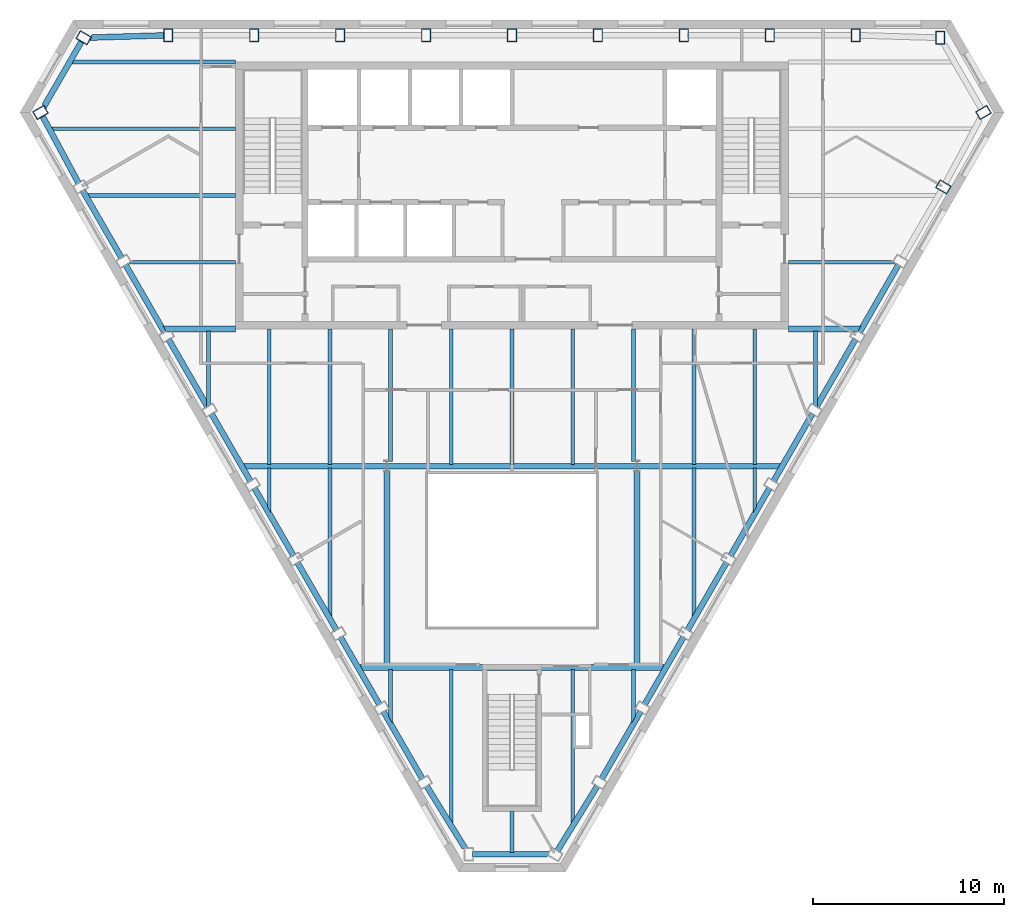
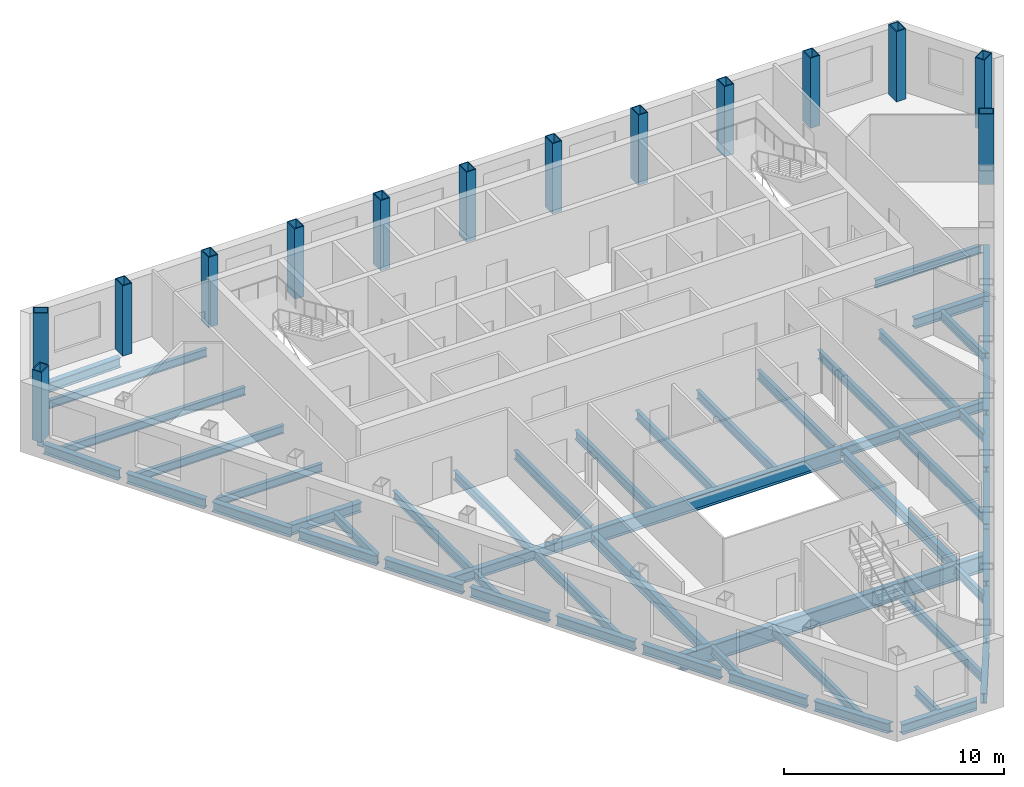
# One storey, part 2 of 10: 54 beams, 14 columns.
"""IFC4 building model written with IfcOpenShell, lengths in metres."""

from ifc_helpers import new_model, si_unit, direction, frame, origin, origin_2d, place, context, subcontext, project, spatial, hollow_rectangle, i_section, extrude, clip, halfspace, material, material_profile, profile_set, type_object, element, save


model = new_model("IFC4")

# Units and contexts
model_context = context("Model", 3, precision=1e-05, world=origin(), true_north=direction((0.0, 1.0)))
body_context = subcontext(model_context, "Body", "Model", "MODEL_VIEW")
ifc_project = project(units=[si_unit("LENGTHUNIT", "METRE"), si_unit("AREAUNIT", "SQUARE_METRE"), si_unit("VOLUMEUNIT", "CUBIC_METRE"), si_unit("PLANEANGLEUNIT", "RADIAN"), si_unit("MASSUNIT", "GRAM", prefix="KILO")], contexts=[model_context])

# Site, building, storey
site_placement = place(None, origin())
site = spatial("IfcSite", under=ifc_project, at=site_placement, CompositionType="ELEMENT")
building_placement = place(site_placement, origin())
building = spatial("IfcBuilding", under=site, at=building_placement, Name="Njiva Tower", CompositionType="ELEMENT")
storey_placement = place(building_placement, frame((0.0, 0.0, 272.7)))
storey = spatial("IfcBuildingStorey", under=building, at=storey_placement, Name="L62", CompositionType="ELEMENT", Elevation=272.7)

# Columns
ifc_material = material(Name="Steel S355 J2", Category="steel")
ifc_material_profile_1 = material_profile(ifc_material, hollow_rectangle(XDim=0.5, YDim=0.7, WallThickness=0.045, at=origin_2d()), Name="BOX 700x500x45")
ifc_profile_set_1 = profile_set([ifc_material_profile_1], Name="Steel S355 J2")
column_type = type_object("IfcColumnType", Name="C13 Perimeter tube column BOX 700x500x45", PredefinedType="COLUMN", material=ifc_profile_set_1)
for number, where, z_axis, x_axis, name in (
    (1, (22.461, 19.267, 0.0), (0.0, 0.0, 1.0), (-1.0, 0.0, 0.0), "Perimeter tube column S20-C01"),
    (2, (18.03, 19.4, 0.0), (0.0, 0.0, 1.0), (-1.0, 0.0, 0.0), "Perimeter tube column S20-C02"),
    (3, (13.523, 19.4, 0.0), (0.0, 0.0, 1.0), (-1.0, 0.0, 0.0), "Perimeter tube column S20-C03"),
    (4, (9.015, 19.4, 0.0), (0.0, 0.0, 1.0), (-1.0, 0.0, 0.0), "Perimeter tube column S20-C04"),
    (5, (4.508, 19.4, 0.0), (0.0, 0.0, 1.0), (-1.0, 0.0, 0.0), "Perimeter tube column S20-C05"),
    (6, (0.0, 19.4, 0.0), (0.0, 0.0, 1.0), (-1.0, 0.0, 0.0), "Perimeter tube column S20-C06"),
    (7, (-4.508, 19.4, 0.0), (0.0, 0.0, 1.0), (-1.0, 0.0, 0.0), "Perimeter tube column S20-C07"),
    (8, (-9.015, 19.4, 0.0), (0.0, 0.0, 1.0), (-1.0, 0.0, 0.0), "Perimeter tube column S20-C08"),
    (9, (-13.523, 19.4, 0.0), (0.0, 0.0, 1.0), (-1.0, 0.0, 0.0), "Perimeter tube column S20-C09"),
    (10, (-18.03, 19.4, 0.0), (0.0, 0.0, 1.0), (-1.0, 0.0, 0.0), "Perimeter tube column S20-C10"),
    (11, (-22.461, 19.267, 0.0), (0.0, 0.0, 1.0), (-0.5, -0.866025403784, 0.0), "Perimeter tube column S20-C11"),
    (12, (-24.723, 15.35, 0.0), (0.0, 0.0, 1.0), (0.5, -0.866025403784, 0.0), "Perimeter tube column S20-C12"),
    (13, (22.622, 11.447, 0.0), (0.0, 0.0, 1.0), (0.5, 0.866025403784, 0.0), "Perimeter tube column S20-C32"),
    (14, (24.723, 15.35, 0.0), (0.0, 0.0, 1.0), (-0.5, 0.866025403784, 0.0), "Perimeter tube column S20-C33"),
):
    element("IfcColumn", number, at=place(storey_placement, frame(where, z_axis=z_axis, x_axis=x_axis)), inside=storey, type_object=column_type, Name=name, PredefinedType="COLUMN", context=body_context, shape_type="SweptSolid", body=[
        extrude(hollow_rectangle(XDim=0.5, YDim=0.7, WallThickness=0.045, at=origin_2d()), origin(), (0.0, 0.0, 1.0), 3.9),
    ])

# Beams
ifc_material_profile_2 = material_profile(ifc_material, i_section(OverallWidth=0.3, OverallDepth=0.59, WebThickness=0.013, FlangeThickness=0.025, at=origin_2d()), Name="HEA 600")
ifc_profile_set_2 = profile_set([ifc_material_profile_2], Name="Steel S355 J2")
beam_type_1 = type_object("IfcBeamType", Name="B30 Long-span atrium trimmer beam HEA 600", PredefinedType="BEAM", material=ifc_profile_set_2)
for number, where, z_axis, x_axis, name in (
    (15, (6.55, -13.649, -0.495), (0.0, 1.0, 0.0), (-1.0, 0.0, 0.0), "Long-span atrium trimmer beam S20-B067"),
    (16, (-6.55, -3.45, -0.495), (0.0, -1.0, 0.0), (1.0, 0.0, 0.0), "Long-span atrium trimmer beam S20-B064"),
):
    element("IfcBeam", number, at=place(storey_placement, frame(where, z_axis=z_axis, x_axis=x_axis)), inside=storey, type_object=beam_type_1, Name=name, PredefinedType="BEAM", context=body_context, shape_type="SweptSolid", body=[
        extrude(i_section(OverallWidth=0.3, OverallDepth=0.59, WebThickness=0.013, FlangeThickness=0.025, at=origin_2d()), origin(), (0.0, 0.0, 1.0), 10.199),
    ])
ifc_material_profile_3 = material_profile(ifc_material, i_section(OverallWidth=0.19, OverallDepth=0.45, WebThickness=0.0094, FlangeThickness=0.0146, at=origin_2d()), Name="IPE 450")
ifc_profile_set_3 = profile_set([ifc_material_profile_3], Name="Steel S355 J2")
beam_type_2 = type_object("IfcBeamType", Name="B37 Floor beam to the core IPE 450", PredefinedType="BEAM", material=ifc_profile_set_3)
beam_1_placement = place(storey_placement, frame((-20.228, 7.5, -0.425), z_axis=(1.0, 0.0, 0.0), x_axis=(0.0, 1.0, 0.0)))
element("IfcBeam", 17, at=beam_1_placement, inside=storey, type_object=beam_type_2, Name="Floor beam to the core S20-B005", PredefinedType="BEAM", context=body_context, shape_type="Clipping", body=[
    clip(extrude(i_section(OverallWidth=0.19, OverallDepth=0.45, WebThickness=0.0094, FlangeThickness=0.0146, at=origin_2d()), origin(), (0.0, 0.0, 1.0), 5.728), halfspace(frame((0.0433, 0.0, 0.2595), z_axis=(0.866026552831, 0.0, -0.499998009787), x_axis=(0.0, -1.0, 0.0)), False)),
])
beam_2_placement = place(storey_placement, frame((14.5, 7.5, -0.425), z_axis=(1.0, 0.0, 0.0), x_axis=(0.0, 1.0, 0.0)))
element("IfcBeam", 18, at=beam_2_placement, inside=storey, type_object=beam_type_2, Name="Floor beam to the core S20-B006", PredefinedType="BEAM", context=body_context, shape_type="Clipping", body=[
    clip(extrude(i_section(OverallWidth=0.19, OverallDepth=0.45, WebThickness=0.0094, FlangeThickness=0.0146, at=origin_2d()), origin(), (0.0, 0.0, 1.0), 5.728), halfspace(frame((0.0433, 0.0, 5.4685), z_axis=(0.866026552831, 0.0, 0.499998009787), x_axis=(0.0, 1.0, 0.0)), False)),
])
beam_3_placement = place(storey_placement, frame((-22.324, 11.0, -0.425), z_axis=(1.0, 0.0, 0.0), x_axis=(0.0, 1.0, 0.0)))
element("IfcBeam", 19, at=beam_3_placement, inside=storey, type_object=beam_type_2, Name="Floor beam to the core S20-B003", PredefinedType="BEAM", context=body_context, shape_type="Clipping", body=[
    clip(extrude(i_section(OverallWidth=0.19, OverallDepth=0.45, WebThickness=0.0094, FlangeThickness=0.0146, at=origin_2d()), origin(), (0.0, 0.0, 1.0), 7.824), halfspace(frame((-0.025, 0.0, 0.0893), z_axis=(-0.499998009787, 0.0, -0.866026552831), x_axis=(0.0, -1.0, 0.0)), False)),
])
beam_4_placement = place(storey_placement, frame((-23.152, 18.0, -0.425), z_axis=(1.0, 0.0, 0.0), x_axis=(0.0, 1.0, 0.0)))
element("IfcBeam", 20, at=beam_4_placement, inside=storey, type_object=beam_type_2, Name="Floor beam to the core S20-B002", PredefinedType="BEAM", context=body_context, shape_type="Clipping", body=[
    clip(extrude(i_section(OverallWidth=0.19, OverallDepth=0.45, WebThickness=0.0094, FlangeThickness=0.0146, at=origin_2d()), origin(), (0.0, 0.0, 1.0), 8.652), halfspace(frame((0.025, 0.0, 0.0892), z_axis=(0.499998009787, 0.0, -0.866026552831), x_axis=(0.0, -1.0, 0.0)), False)),
])
ifc_material_profile_4 = material_profile(ifc_material, i_section(OverallWidth=0.3, OverallDepth=0.54, WebThickness=0.0125, FlangeThickness=0.024, at=origin_2d()), Name="HEA 550")
ifc_profile_set_4 = profile_set([ifc_material_profile_4], Name="Steel S355 J2")
beam_type_3 = type_object("IfcBeamType", Name="B39 Short-span spandrel beam HEA 550", PredefinedType="SPANDREL", material=ifc_profile_set_4)
beam_5_placement = place(storey_placement, frame((-18.234, 19.394, -0.47), z_axis=(-0.999544486246, -0.030179794811, 0.0), x_axis=(0.030179794811, -0.999544486246, 0.0)))
element("IfcBeam", 21, at=beam_5_placement, inside=storey, type_object=beam_type_3, Name="Short-span spandrel beam S20-B075", PredefinedType="SPANDREL", context=body_context, shape_type="Clipping", body=[
    clip(extrude(i_section(OverallWidth=0.3, OverallDepth=0.54, WebThickness=0.0125, FlangeThickness=0.024, at=origin_2d()), origin(), (0.0, 0.0, 1.0), 3.9898), halfspace(frame((-0.0268, 0.0, 3.86), z_axis=(-0.525906757481, 0.0, 0.850542228484), x_axis=(0.0, 1.0, 0.0)), False)),
])
beam_6_placement = place(storey_placement, frame((-22.561, 19.094, -0.47), z_axis=(-0.500114213461, -0.865959452569, 0.0), x_axis=(0.865959452569, -0.500114213461, 0.0)))
element("IfcBeam", 22, at=beam_6_placement, inside=storey, type_object=beam_type_3, Name="Short-span spandrel beam S20-B072", PredefinedType="SPANDREL", context=body_context, shape_type="Clipping", body=[
    clip(extrude(i_section(OverallWidth=0.3, OverallDepth=0.54, WebThickness=0.0125, FlangeThickness=0.024, at=origin_2d()), origin(), (0.0, 0.0, 1.0), 4.0841), halfspace(frame((-0.0246, 0.0, 3.9628), z_axis=(-0.499887768204, 0.0, 0.866090191147), x_axis=(0.0, 1.0, 0.0)), False)),
])
beam_7_placement = place(storey_placement, frame((-24.626, 15.171, -0.47), z_axis=(0.47374424202, -0.880662474023, 0.0), x_axis=(0.880662474023, 0.47374424202, 0.0)))
element("IfcBeam", 23, at=beam_7_placement, inside=storey, type_object=beam_type_3, Name="Short-span spandrel beam S20-B070", PredefinedType="SPANDREL", context=body_context, shape_type="SweptSolid", body=[
    extrude(i_section(OverallWidth=0.3, OverallDepth=0.54, WebThickness=0.0125, FlangeThickness=0.024, at=origin_2d()), origin(), (0.0, 0.0, 1.0), 4.0254),
])
for number, where, z_axis, x_axis, name in (
    (24, (-22.523, 11.274, -0.47), (0.499961250474, -0.866047774678, 0.0), (0.866047774678, 0.499961250474, 0.0), "Short-span spandrel beam S20-B073"),
    (25, (-20.269, 7.37, -0.47), (0.499961250474, -0.866047774678, 0.0), (0.866047774678, 0.499961250474, 0.0), "Short-span spandrel beam S20-B077"),
    (26, (-18.015, 3.466, -0.47), (0.499961250474, -0.866047774678, 0.0), (0.866047774678, 0.499961250474, 0.0), "Short-span spandrel beam S20-B079"),
):
    element("IfcBeam", number, at=place(storey_placement, frame(where, z_axis=z_axis, x_axis=x_axis)), inside=storey, type_object=beam_type_3, Name=name, PredefinedType="SPANDREL", context=body_context, shape_type="SweptSolid", body=[
        extrude(i_section(OverallWidth=0.3, OverallDepth=0.54, WebThickness=0.0125, FlangeThickness=0.024, at=origin_2d()), origin(), (0.0, 0.0, 1.0), 4.1083),
    ])
beam_8_placement = place(storey_placement, frame((-15.761, -0.438, -0.47), z_axis=(0.500066662559, -0.865986912717, 0.0), x_axis=(0.865986912717, 0.500066662559, 0.0)))
element("IfcBeam", 27, at=beam_8_placement, inside=storey, type_object=beam_type_3, Name="Short-span spandrel beam S20-B082", PredefinedType="SPANDREL", context=body_context, shape_type="SweptSolid", body=[
    extrude(i_section(OverallWidth=0.3, OverallDepth=0.54, WebThickness=0.0125, FlangeThickness=0.024, at=origin_2d()), origin(), (0.0, 0.0, 1.0), 4.1075),
])
beam_9_placement = place(storey_placement, frame((-13.507, -4.341, -0.47), z_axis=(0.499961250474, -0.866047774678, 0.0), x_axis=(0.866047774678, 0.499961250474, 0.0)))
element("IfcBeam", 28, at=beam_9_placement, inside=storey, type_object=beam_type_3, Name="Short-span spandrel beam S20-B084", PredefinedType="SPANDREL", context=body_context, shape_type="SweptSolid", body=[
    extrude(i_section(OverallWidth=0.3, OverallDepth=0.54, WebThickness=0.0125, FlangeThickness=0.024, at=origin_2d()), origin(), (0.0, 0.0, 1.0), 4.1083),
])
beam_10_placement = place(storey_placement, frame((-11.253, -8.245, -0.47), z_axis=(0.499778651271, -0.866153161822, 0.0), x_axis=(0.866153161822, 0.499778651271, 0.0)))
element("IfcBeam", 29, at=beam_10_placement, inside=storey, type_object=beam_type_3, Name="Short-span spandrel beam S20-B087", PredefinedType="SPANDREL", context=body_context, shape_type="SweptSolid", body=[
    extrude(i_section(OverallWidth=0.3, OverallDepth=0.54, WebThickness=0.0125, FlangeThickness=0.024, at=origin_2d()), origin(), (0.0, 0.0, 1.0), 4.1078),
])
beam_11_placement = place(storey_placement, frame((-9.0, -12.149, -0.47), z_axis=(0.500066662559, -0.865986912717, 0.0), x_axis=(0.865986912717, 0.500066662559, 0.0)))
element("IfcBeam", 30, at=beam_11_placement, inside=storey, type_object=beam_type_3, Name="Short-span spandrel beam S20-B089", PredefinedType="SPANDREL", context=body_context, shape_type="SweptSolid", body=[
    extrude(i_section(OverallWidth=0.3, OverallDepth=0.54, WebThickness=0.0125, FlangeThickness=0.024, at=origin_2d()), origin(), (0.0, 0.0, 1.0), 4.1075),
])
beam_12_placement = place(storey_placement, frame((-6.746, -16.052, -0.47), z_axis=(0.499961250474, -0.866047774678, 0.0), x_axis=(0.866047774678, 0.499961250474, 0.0)))
element("IfcBeam", 31, at=beam_12_placement, inside=storey, type_object=beam_type_3, Name="Short-span spandrel beam S20-B093", PredefinedType="SPANDREL", context=body_context, shape_type="SweptSolid", body=[
    extrude(i_section(OverallWidth=0.3, OverallDepth=0.54, WebThickness=0.0125, FlangeThickness=0.024, at=origin_2d()), origin(), (0.0, 0.0, 1.0), 4.1083),
])
beam_13_placement = place(storey_placement, frame((-4.485, -19.956, -0.47), z_axis=(0.525679579042, -0.850682655388, 0.0), x_axis=(0.850682655388, 0.525679579042, 0.0)))
element("IfcBeam", 32, at=beam_13_placement, inside=storey, type_object=beam_type_3, Name="Short-span spandrel beam S20-B095", PredefinedType="SPANDREL", context=body_context, shape_type="Clipping", body=[
    clip(extrude(i_section(OverallWidth=0.3, OverallDepth=0.54, WebThickness=0.0125, FlangeThickness=0.024, at=origin_2d()), origin(), (0.0, 0.0, 1.0), 3.9899), halfspace(frame((-0.0259, 0.0, 3.8609), z_axis=(-0.525679579042, 0.0, 0.850682655388), x_axis=(0.0, 1.0, 0.0)), False)),
])
beam_14_placement = place(storey_placement, frame((-2.061, -23.554, -0.47), z_axis=(1.0, 0.0, 0.0), x_axis=(0.0, 1.0, 0.0)))
element("IfcBeam", 33, at=beam_14_placement, inside=storey, type_object=beam_type_3, Name="Short-span spandrel beam S20-B099", PredefinedType="SPANDREL", context=body_context, shape_type="Clipping", body=[
    clip(extrude(i_section(OverallWidth=0.3, OverallDepth=0.54, WebThickness=0.0125, FlangeThickness=0.024, at=origin_2d()), origin(), (0.0, 0.0, 1.0), 4.083), halfspace(frame((-0.0248, 0.0, 3.9613), z_axis=(-0.499998009787, 0.0, 0.866026552831), x_axis=(0.0, 1.0, 0.0)), False)),
])
beam_15_placement = place(storey_placement, frame((2.368, -23.381, -0.47), z_axis=(0.525773090437, 0.850624862894, 0.0), x_axis=(-0.850624862894, 0.525773090437, 0.0)))
element("IfcBeam", 34, at=beam_15_placement, inside=storey, type_object=beam_type_3, Name="Short-span spandrel beam S20-B102", PredefinedType="SPANDREL", context=body_context, shape_type="SweptSolid", body=[
    extrude(i_section(OverallWidth=0.3, OverallDepth=0.54, WebThickness=0.0125, FlangeThickness=0.024, at=origin_2d()), origin(), (0.0, 0.0, 1.0), 4.0265),
])
beam_16_placement = place(storey_placement, frame((4.692, -19.61, -0.47), z_axis=(0.499961250474, 0.866047774678, 0.0), x_axis=(-0.866047774678, 0.499961250474, 0.0)))
element("IfcBeam", 35, at=beam_16_placement, inside=storey, type_object=beam_type_3, Name="Short-span spandrel beam S20-B104", PredefinedType="SPANDREL", context=body_context, shape_type="SweptSolid", body=[
    extrude(i_section(OverallWidth=0.3, OverallDepth=0.54, WebThickness=0.0125, FlangeThickness=0.024, at=origin_2d()), origin(), (0.0, 0.0, 1.0), 4.1083),
])
beam_17_placement = place(storey_placement, frame((6.946, -15.706, -0.47), z_axis=(0.500066662559, 0.865986912717, 0.0), x_axis=(-0.865986912717, 0.500066662559, 0.0)))
element("IfcBeam", 36, at=beam_17_placement, inside=storey, type_object=beam_type_3, Name="Short-span spandrel beam S20-B108", PredefinedType="SPANDREL", context=body_context, shape_type="SweptSolid", body=[
    extrude(i_section(OverallWidth=0.3, OverallDepth=0.54, WebThickness=0.0125, FlangeThickness=0.024, at=origin_2d()), origin(), (0.0, 0.0, 1.0), 4.1075),
])
beam_18_placement = place(storey_placement, frame((9.2, -11.803, -0.47), z_axis=(0.499778651271, 0.866153161822, 0.0), x_axis=(-0.866153161822, 0.499778651271, 0.0)))
element("IfcBeam", 37, at=beam_18_placement, inside=storey, type_object=beam_type_3, Name="Short-span spandrel beam S20-B110", PredefinedType="SPANDREL", context=body_context, shape_type="SweptSolid", body=[
    extrude(i_section(OverallWidth=0.3, OverallDepth=0.54, WebThickness=0.0125, FlangeThickness=0.024, at=origin_2d()), origin(), (0.0, 0.0, 1.0), 4.1078),
])
beam_19_placement = place(storey_placement, frame((11.453, -7.899, -0.47), z_axis=(0.499961250474, 0.866047774678, 0.0), x_axis=(-0.866047774678, 0.499961250474, 0.0)))
element("IfcBeam", 38, at=beam_19_placement, inside=storey, type_object=beam_type_3, Name="Short-span spandrel beam S20-B113", PredefinedType="SPANDREL", context=body_context, shape_type="SweptSolid", body=[
    extrude(i_section(OverallWidth=0.3, OverallDepth=0.54, WebThickness=0.0125, FlangeThickness=0.024, at=origin_2d()), origin(), (0.0, 0.0, 1.0), 4.1083),
])
beam_20_placement = place(storey_placement, frame((13.707, -3.995, -0.47), z_axis=(0.500066662559, 0.865986912717, 0.0), x_axis=(-0.865986912717, 0.500066662559, 0.0)))
element("IfcBeam", 39, at=beam_20_placement, inside=storey, type_object=beam_type_3, Name="Short-span spandrel beam S20-B115", PredefinedType="SPANDREL", context=body_context, shape_type="SweptSolid", body=[
    extrude(i_section(OverallWidth=0.3, OverallDepth=0.54, WebThickness=0.0125, FlangeThickness=0.024, at=origin_2d()), origin(), (0.0, 0.0, 1.0), 4.1075),
])
for number, where, z_axis, x_axis, name in (
    (40, (15.961, -0.092, -0.47), (0.499961250474, 0.866047774678, 0.0), (-0.866047774678, 0.499961250474, 0.0), "Short-span spandrel beam S20-B118"),
    (41, (18.215, 3.812, -0.47), (0.499961250474, 0.866047774678, 0.0), (-0.866047774678, 0.499961250474, 0.0), "Short-span spandrel beam S20-B120"),
):
    element("IfcBeam", number, at=place(storey_placement, frame(where, z_axis=z_axis, x_axis=x_axis)), inside=storey, type_object=beam_type_3, Name=name, PredefinedType="SPANDREL", context=body_context, shape_type="SweptSolid", body=[
        extrude(i_section(OverallWidth=0.3, OverallDepth=0.54, WebThickness=0.0125, FlangeThickness=0.024, at=origin_2d()), origin(), (0.0, 0.0, 1.0), 4.1083),
    ])
ifc_material_profile_5 = material_profile(ifc_material, i_section(OverallWidth=0.3, OverallDepth=0.54, WebThickness=0.0125, FlangeThickness=0.024, at=origin_2d()), Name="HEA 550")
ifc_profile_set_5 = profile_set([ifc_material_profile_5], Name="Steel S355 J2")
beam_type_4 = type_object("IfcBeamType", Name="B40 Floor girder HEA 550", PredefinedType="BEAM", material=ifc_profile_set_5)
beam_21_placement = place(storey_placement, frame((-14.158, -3.2, -0.47), z_axis=(1.0, 0.0, 0.0), x_axis=(0.0, 1.0, 0.0)))
element("IfcBeam", 42, at=beam_21_placement, inside=storey, type_object=beam_type_4, Name="Floor girder S20-B012", PredefinedType="BEAM", context=body_context, shape_type="Clipping", body=[
    clip(extrude(i_section(OverallWidth=0.3, OverallDepth=0.54, WebThickness=0.0125, FlangeThickness=0.024, at=origin_2d()), origin(), (0.0, 0.0, 1.0), 7.608), halfspace(frame((-0.025, 0.0, 0.1217), z_axis=(-0.499998009787, 0.0, -0.866026552831), x_axis=(0.0, -1.0, 0.0)), False)),
])
beam_22_placement = place(storey_placement, frame((6.55, -3.2, -0.47), z_axis=(1.0, 0.0, 0.0), x_axis=(0.0, 1.0, 0.0)))
element("IfcBeam", 43, at=beam_22_placement, inside=storey, type_object=beam_type_4, Name="Floor girder S20-B013", PredefinedType="BEAM", context=body_context, shape_type="Clipping", body=[
    clip(extrude(i_section(OverallWidth=0.3, OverallDepth=0.54, WebThickness=0.0125, FlangeThickness=0.024, at=origin_2d()), origin(), (0.0, 0.0, 1.0), 7.608), halfspace(frame((-0.025, 0.0, 7.4863), z_axis=(-0.499998009787, 0.0, 0.866026552831), x_axis=(0.0, 1.0, 0.0)), False)),
])
ifc_material_profile_6 = material_profile(ifc_material, i_section(OverallWidth=0.3, OverallDepth=0.54, WebThickness=0.0125, FlangeThickness=0.024, at=origin_2d()), Name="HEA 550")
ifc_profile_set_6 = profile_set([ifc_material_profile_6], Name="Steel S355 J2")
beam_type_5 = type_object("IfcBeamType", Name="B41 Short-span floor girder HEA 550", PredefinedType="BEAM", material=ifc_profile_set_6)
beam_23_placement = place(storey_placement, frame((-18.315, 4.0, -0.47), z_axis=(1.0, 0.0, 0.0), x_axis=(0.0, 1.0, 0.0)))
element("IfcBeam", 44, at=beam_23_placement, inside=storey, type_object=beam_type_5, Name="Short-span floor girder S20-B011", PredefinedType="BEAM", context=body_context, shape_type="Clipping", body=[
    clip(extrude(i_section(OverallWidth=0.3, OverallDepth=0.54, WebThickness=0.0125, FlangeThickness=0.024, at=origin_2d()), origin(), (0.0, 0.0, 1.0), 3.815), halfspace(frame((-0.025, 0.0, 0.1217), z_axis=(-0.499998009787, 0.0, -0.866026552831), x_axis=(0.0, -1.0, 0.0)), False)),
])
beam_24_placement = place(storey_placement, frame((14.5, 4.0, -0.47), z_axis=(1.0, 0.0, 0.0), x_axis=(0.0, 1.0, 0.0)))
element("IfcBeam", 45, at=beam_24_placement, inside=storey, type_object=beam_type_5, Name="Short-span floor girder S20-B014", PredefinedType="BEAM", context=body_context, shape_type="Clipping", body=[
    clip(extrude(i_section(OverallWidth=0.3, OverallDepth=0.54, WebThickness=0.0125, FlangeThickness=0.024, at=origin_2d()), origin(), (0.0, 0.0, 1.0), 3.815), halfspace(frame((-0.025, 0.0, 3.6933), z_axis=(-0.499998009787, 0.0, 0.866026552831), x_axis=(0.0, 1.0, 0.0)), False)),
])
ifc_material_profile_7 = material_profile(ifc_material, i_section(OverallWidth=0.2, OverallDepth=0.5, WebThickness=0.0102, FlangeThickness=0.016, at=origin_2d()), Name="IPE 500")
ifc_profile_set_7 = profile_set([ifc_material_profile_7], Name="Steel S355 J2")
beam_type_6 = type_object("IfcBeamType", Name="B42 Short-span floor joist IPE 500", PredefinedType="JOIST", material=ifc_profile_set_7)
beam_25_placement = place(storey_placement, frame((-15.917, 3.9, -0.45), z_axis=(0.0, -1.0, 0.0), x_axis=(1.0, 0.0, 0.0)))
element("IfcBeam", 46, at=beam_25_placement, inside=storey, type_object=beam_type_6, Name="Short-span floor joist S20-B039", PredefinedType="JOIST", context=body_context, shape_type="Clipping", body=[
    clip(extrude(i_section(OverallWidth=0.2, OverallDepth=0.5, WebThickness=0.0102, FlangeThickness=0.016, at=origin_2d()), origin(), (0.0, 0.0, 1.0), 4.044), halfspace(frame((0.0253, 0.0, 3.9518), z_axis=(0.499998009787, 0.0, 0.866026552831), x_axis=(0.0, 1.0, 0.0)), False)),
])
beam_26_placement = place(storey_placement, frame((-12.733, -3.3, -0.45), z_axis=(0.0, -1.0, 0.0), x_axis=(1.0, 0.0, 0.0)))
element("IfcBeam", 47, at=beam_26_placement, inside=storey, type_object=beam_type_6, Name="Short-span floor joist S20-B041", PredefinedType="JOIST", context=body_context, shape_type="Clipping", body=[
    clip(extrude(i_section(OverallWidth=0.2, OverallDepth=0.5, WebThickness=0.0102, FlangeThickness=0.016, at=origin_2d()), origin(), (0.0, 0.0, 1.0), 2.375), halfspace(frame((-0.0436, 0.0, 2.1069), z_axis=(-0.866026552831, 0.0, 0.499998009787), x_axis=(0.0, 1.0, 0.0)), False)),
])
beam_27_placement = place(storey_placement, frame((-6.367, -13.851, -0.45), z_axis=(0.0, -1.0, 0.0), x_axis=(1.0, 0.0, 0.0)))
element("IfcBeam", 48, at=beam_27_placement, inside=storey, type_object=beam_type_6, Name="Short-span floor joist S20-B045", PredefinedType="JOIST", context=body_context, shape_type="Clipping", body=[
    clip(extrude(i_section(OverallWidth=0.2, OverallDepth=0.5, WebThickness=0.0102, FlangeThickness=0.016, at=origin_2d()), origin(), (0.0, 0.0, 1.0), 2.851), halfspace(frame((-0.043, 0.0, 2.5833), z_axis=(-0.866026552831, 0.0, 0.499998009787), x_axis=(0.0, 1.0, 0.0)), False)),
])
beam_28_placement = place(storey_placement, frame((0.0, -21.3, -0.45), z_axis=(0.0, -1.0, 0.0), x_axis=(1.0, 0.0, 0.0)))
element("IfcBeam", 49, at=beam_28_placement, inside=storey, type_object=beam_type_6, Name="Short-span floor joist S20-B050", PredefinedType="JOIST", context=body_context, shape_type="SweptSolid", body=[
    extrude(i_section(OverallWidth=0.2, OverallDepth=0.5, WebThickness=0.0102, FlangeThickness=0.016, at=origin_2d()), origin(), (0.0, 0.0, 1.0), 2.154),
])
beam_29_placement = place(storey_placement, frame((6.367, -13.851, -0.45), z_axis=(0.0, -1.0, 0.0), x_axis=(1.0, 0.0, 0.0)))
element("IfcBeam", 50, at=beam_29_placement, inside=storey, type_object=beam_type_6, Name="Short-span floor joist S20-B054", PredefinedType="JOIST", context=body_context, shape_type="Clipping", body=[
    clip(extrude(i_section(OverallWidth=0.2, OverallDepth=0.5, WebThickness=0.0102, FlangeThickness=0.016, at=origin_2d()), origin(), (0.0, 0.0, 1.0), 2.851), halfspace(frame((0.043, 0.0, 2.5833), z_axis=(0.866026552831, 0.0, 0.499998009787), x_axis=(0.0, 1.0, 0.0)), False)),
])
beam_30_placement = place(storey_placement, frame((12.733, -3.3, -0.45), z_axis=(0.0, -1.0, 0.0), x_axis=(1.0, 0.0, 0.0)))
element("IfcBeam", 51, at=beam_30_placement, inside=storey, type_object=beam_type_6, Name="Short-span floor joist S20-B059", PredefinedType="JOIST", context=body_context, shape_type="Clipping", body=[
    clip(extrude(i_section(OverallWidth=0.2, OverallDepth=0.5, WebThickness=0.0102, FlangeThickness=0.016, at=origin_2d()), origin(), (0.0, 0.0, 1.0), 2.375), halfspace(frame((0.0436, 0.0, 2.1069), z_axis=(0.866026552831, 0.0, 0.499998009787), x_axis=(0.0, 1.0, 0.0)), False)),
])
beam_31_placement = place(storey_placement, frame((15.917, 3.9, -0.45), z_axis=(0.0, -1.0, 0.0), x_axis=(1.0, 0.0, 0.0)))
element("IfcBeam", 52, at=beam_31_placement, inside=storey, type_object=beam_type_6, Name="Short-span floor joist S20-B061", PredefinedType="JOIST", context=body_context, shape_type="Clipping", body=[
    clip(extrude(i_section(OverallWidth=0.2, OverallDepth=0.5, WebThickness=0.0102, FlangeThickness=0.016, at=origin_2d()), origin(), (0.0, 0.0, 1.0), 4.044), halfspace(frame((-0.0253, 0.0, 3.9518), z_axis=(-0.499998009787, 0.0, 0.866026552831), x_axis=(0.0, 1.0, 0.0)), False)),
])
ifc_material_profile_8 = material_profile(ifc_material, i_section(OverallWidth=0.2, OverallDepth=0.5, WebThickness=0.0102, FlangeThickness=0.016, at=origin_2d()), Name="IPE 500")
ifc_profile_set_8 = profile_set([ifc_material_profile_8], Name="Steel S355 J2")
beam_type_7 = type_object("IfcBeamType", Name="B43 Floor joist IPE 500", PredefinedType="JOIST", material=ifc_profile_set_8)
for number, where, z_axis, x_axis, name in (
    (53, (-12.733, 3.995, -0.45), (0.0, -1.0, 0.0), (1.0, 0.0, 0.0), "Floor joist S20-B042"),
    (54, (-9.55, 3.995, -0.45), (0.0, -1.0, 0.0), (1.0, 0.0, 0.0), "Floor joist S20-B044"),
):
    element("IfcBeam", number, at=place(storey_placement, frame(where, z_axis=z_axis, x_axis=x_axis)), inside=storey, type_object=beam_type_7, Name=name, PredefinedType="JOIST", context=body_context, shape_type="SweptSolid", body=[
        extrude(i_section(OverallWidth=0.2, OverallDepth=0.5, WebThickness=0.0102, FlangeThickness=0.016, at=origin_2d()), origin(), (0.0, 0.0, 1.0), 7.095),
    ])
beam_32_placement = place(storey_placement, frame((-9.55, -3.3, -0.45), z_axis=(0.0, -1.0, 0.0), x_axis=(1.0, 0.0, 0.0)))
element("IfcBeam", 55, at=beam_32_placement, inside=storey, type_object=beam_type_7, Name="Floor joist S20-B043", PredefinedType="JOIST", context=body_context, shape_type="Clipping", body=[
    clip(extrude(i_section(OverallWidth=0.2, OverallDepth=0.5, WebThickness=0.0102, FlangeThickness=0.016, at=origin_2d()), origin(), (0.0, 0.0, 1.0), 7.889), halfspace(frame((-0.0433, 0.0, 7.6206), z_axis=(-0.866026552831, 0.0, 0.499998009787), x_axis=(0.0, 1.0, 0.0)), False)),
])
beam_33_placement = place(storey_placement, frame((-6.367, 3.995, -0.45), z_axis=(0.0, -1.0, 0.0), x_axis=(1.0, 0.0, 0.0)))
element("IfcBeam", 56, at=beam_33_placement, inside=storey, type_object=beam_type_7, Name="Floor joist S20-B047", PredefinedType="JOIST", context=body_context, shape_type="SweptSolid", body=[
    extrude(i_section(OverallWidth=0.2, OverallDepth=0.5, WebThickness=0.0102, FlangeThickness=0.016, at=origin_2d()), origin(), (0.0, 0.0, 1.0), 6.945),
])
beam_34_placement = place(storey_placement, frame((-3.183, 3.995, -0.45), z_axis=(0.0, -1.0, 0.0), x_axis=(1.0, 0.0, 0.0)))
element("IfcBeam", 57, at=beam_34_placement, inside=storey, type_object=beam_type_7, Name="Floor joist S20-B049", PredefinedType="JOIST", context=body_context, shape_type="SweptSolid", body=[
    extrude(i_section(OverallWidth=0.2, OverallDepth=0.5, WebThickness=0.0102, FlangeThickness=0.016, at=origin_2d()), origin(), (0.0, 0.0, 1.0), 7.095),
])
beam_35_placement = place(storey_placement, frame((-3.183, -13.851, -0.45), z_axis=(0.0, -1.0, 0.0), x_axis=(1.0, 0.0, 0.0)))
element("IfcBeam", 58, at=beam_35_placement, inside=storey, type_object=beam_type_7, Name="Floor joist S20-B048", PredefinedType="JOIST", context=body_context, shape_type="Clipping", body=[
    clip(extrude(i_section(OverallWidth=0.2, OverallDepth=0.5, WebThickness=0.0102, FlangeThickness=0.016, at=origin_2d()), origin(), (0.0, 0.0, 1.0), 8.203), halfspace(frame((-0.0429, 0.0, 7.9521), z_axis=(-0.850620428373, 0.0, 0.525780264783), x_axis=(0.0, 1.0, 0.0)), False)),
])
for number, where, z_axis, x_axis, name in (
    (59, (0.0, 3.995, -0.45), (0.0, -1.0, 0.0), (1.0, 0.0, 0.0), "Floor joist S20-B051"),
    (60, (3.183, 3.995, -0.45), (0.0, -1.0, 0.0), (1.0, 0.0, 0.0), "Floor joist S20-B053"),
):
    element("IfcBeam", number, at=place(storey_placement, frame(where, z_axis=z_axis, x_axis=x_axis)), inside=storey, type_object=beam_type_7, Name=name, PredefinedType="JOIST", context=body_context, shape_type="SweptSolid", body=[
        extrude(i_section(OverallWidth=0.2, OverallDepth=0.5, WebThickness=0.0102, FlangeThickness=0.016, at=origin_2d()), origin(), (0.0, 0.0, 1.0), 7.095),
    ])
beam_36_placement = place(storey_placement, frame((3.183, -13.851, -0.45), z_axis=(0.0, -1.0, 0.0), x_axis=(1.0, 0.0, 0.0)))
element("IfcBeam", 61, at=beam_36_placement, inside=storey, type_object=beam_type_7, Name="Floor joist S20-B052", PredefinedType="JOIST", context=body_context, shape_type="Clipping", body=[
    clip(extrude(i_section(OverallWidth=0.2, OverallDepth=0.5, WebThickness=0.0102, FlangeThickness=0.016, at=origin_2d()), origin(), (0.0, 0.0, 1.0), 8.203), halfspace(frame((0.0429, 0.0, 7.9521), z_axis=(0.850620428373, 0.0, 0.525780264783), x_axis=(0.0, 1.0, 0.0)), False)),
])
beam_37_placement = place(storey_placement, frame((6.367, 3.995, -0.45), z_axis=(0.0, -1.0, 0.0), x_axis=(1.0, 0.0, 0.0)))
element("IfcBeam", 62, at=beam_37_placement, inside=storey, type_object=beam_type_7, Name="Floor joist S20-B056", PredefinedType="JOIST", context=body_context, shape_type="SweptSolid", body=[
    extrude(i_section(OverallWidth=0.2, OverallDepth=0.5, WebThickness=0.0102, FlangeThickness=0.016, at=origin_2d()), origin(), (0.0, 0.0, 1.0), 6.945),
])
beam_38_placement = place(storey_placement, frame((9.55, 3.995, -0.45), z_axis=(0.0, -1.0, 0.0), x_axis=(1.0, 0.0, 0.0)))
element("IfcBeam", 63, at=beam_38_placement, inside=storey, type_object=beam_type_7, Name="Floor joist S20-B058", PredefinedType="JOIST", context=body_context, shape_type="SweptSolid", body=[
    extrude(i_section(OverallWidth=0.2, OverallDepth=0.5, WebThickness=0.0102, FlangeThickness=0.016, at=origin_2d()), origin(), (0.0, 0.0, 1.0), 7.095),
])
beam_39_placement = place(storey_placement, frame((9.55, -3.3, -0.45), z_axis=(0.0, -1.0, 0.0), x_axis=(1.0, 0.0, 0.0)))
element("IfcBeam", 64, at=beam_39_placement, inside=storey, type_object=beam_type_7, Name="Floor joist S20-B057", PredefinedType="JOIST", context=body_context, shape_type="Clipping", body=[
    clip(extrude(i_section(OverallWidth=0.2, OverallDepth=0.5, WebThickness=0.0102, FlangeThickness=0.016, at=origin_2d()), origin(), (0.0, 0.0, 1.0), 7.889), halfspace(frame((0.0433, 0.0, 7.6206), z_axis=(0.866026552831, 0.0, 0.499998009787), x_axis=(0.0, 1.0, 0.0)), False)),
])
beam_40_placement = place(storey_placement, frame((12.733, 3.995, -0.45), z_axis=(0.0, -1.0, 0.0), x_axis=(1.0, 0.0, 0.0)))
element("IfcBeam", 65, at=beam_40_placement, inside=storey, type_object=beam_type_7, Name="Floor joist S20-B060", PredefinedType="JOIST", context=body_context, shape_type="SweptSolid", body=[
    extrude(i_section(OverallWidth=0.2, OverallDepth=0.5, WebThickness=0.0102, FlangeThickness=0.016, at=origin_2d()), origin(), (0.0, 0.0, 1.0), 7.095),
])
ifc_material_profile_9 = material_profile(ifc_material, i_section(OverallWidth=0.19, OverallDepth=0.45, WebThickness=0.0094, FlangeThickness=0.0146, at=origin_2d()), Name="IPE 450")
ifc_profile_set_9 = profile_set([ifc_material_profile_9], Name="Steel S355 J2")
beam_type_8 = type_object("IfcBeamType", Name="B45 Long-span floor beam to the core IPE 450", PredefinedType="BEAM", material=ifc_profile_set_9)
beam_41_placement = place(storey_placement, frame((-24.223, 14.5, -0.425), z_axis=(1.0, 0.0, 0.0), x_axis=(0.0, 1.0, 0.0)))
element("IfcBeam", 66, at=beam_41_placement, inside=storey, type_object=beam_type_8, Name="Long-span floor beam to the core S20-B001", PredefinedType="BEAM", context=body_context, shape_type="Clipping", body=[
    clip(extrude(i_section(OverallWidth=0.19, OverallDepth=0.45, WebThickness=0.0094, FlangeThickness=0.0146, at=origin_2d()), origin(), (0.0, 0.0, 1.0), 9.723), halfspace(frame((-0.0237, 0.0, 0.0842), z_axis=(-0.473769423091, 0.0, -0.880648927634), x_axis=(0.0, -1.0, 0.0)), False)),
])
ifc_material_profile_10 = material_profile(ifc_material, i_section(OverallWidth=0.302, OverallDepth=0.91, WebThickness=0.021, FlangeThickness=0.04, at=origin_2d()), Name="HEM 900")
ifc_profile_set_10 = profile_set([ifc_material_profile_10], Name="Steel S355 J2")
beam_type_9 = type_object("IfcBeamType", Name="B8 Long-span atrium trimmer beam HEM 900", PredefinedType="BEAM", material=ifc_profile_set_10)
beam_42_placement = place(storey_placement, frame((-8.067, -13.75, -0.655), z_axis=(1.0, 0.0, 0.0), x_axis=(0.0, 1.0, 0.0)))
element("IfcBeam", 67, at=beam_42_placement, inside=storey, type_object=beam_type_9, Name="Long-span atrium trimmer beam S20-B063", PredefinedType="BEAM", context=body_context, shape_type="Clipping", body=[
    clip(clip(extrude(i_section(OverallWidth=0.302, OverallDepth=0.91, WebThickness=0.021, FlangeThickness=0.04, at=origin_2d()), origin(), (0.0, 0.0, 1.0), 16.134), halfspace(frame((-0.025, 0.0, 0.1217), z_axis=(-0.499998009787, 0.0, -0.866026552831), x_axis=(0.0, -1.0, 0.0)), False)), halfspace(frame((-0.025, 0.0, 16.0123), z_axis=(-0.499998009787, 0.0, 0.866026552831), x_axis=(0.0, 1.0, 0.0)), False)),
])
ifc_material_profile_11 = material_profile(ifc_material, i_section(OverallWidth=0.3, OverallDepth=0.79, WebThickness=0.015, FlangeThickness=0.028, at=origin_2d()), Name="HEA 800")
ifc_profile_set_11 = profile_set([ifc_material_profile_11], Name="Steel S355 J2")
beam_type_10 = type_object("IfcBeamType", Name="B9 Long-span atrium trimmer beam HEA 800", PredefinedType="BEAM", material=ifc_profile_set_11)
beam_43_placement = place(storey_placement, frame((6.55, -3.2, -0.595), z_axis=(-1.0, 0.0, 0.0), x_axis=(0.0, -1.0, 0.0)))
element("IfcBeam", 68, at=beam_43_placement, inside=storey, type_object=beam_type_10, Name="Long-span atrium trimmer beam S20-B066", PredefinedType="BEAM", context=body_context, shape_type="SweptSolid", body=[
    extrude(i_section(OverallWidth=0.3, OverallDepth=0.79, WebThickness=0.015, FlangeThickness=0.028, at=origin_2d()), origin(), (0.0, 0.0, 1.0), 13.1),
])

save(model, "model.ifc")
